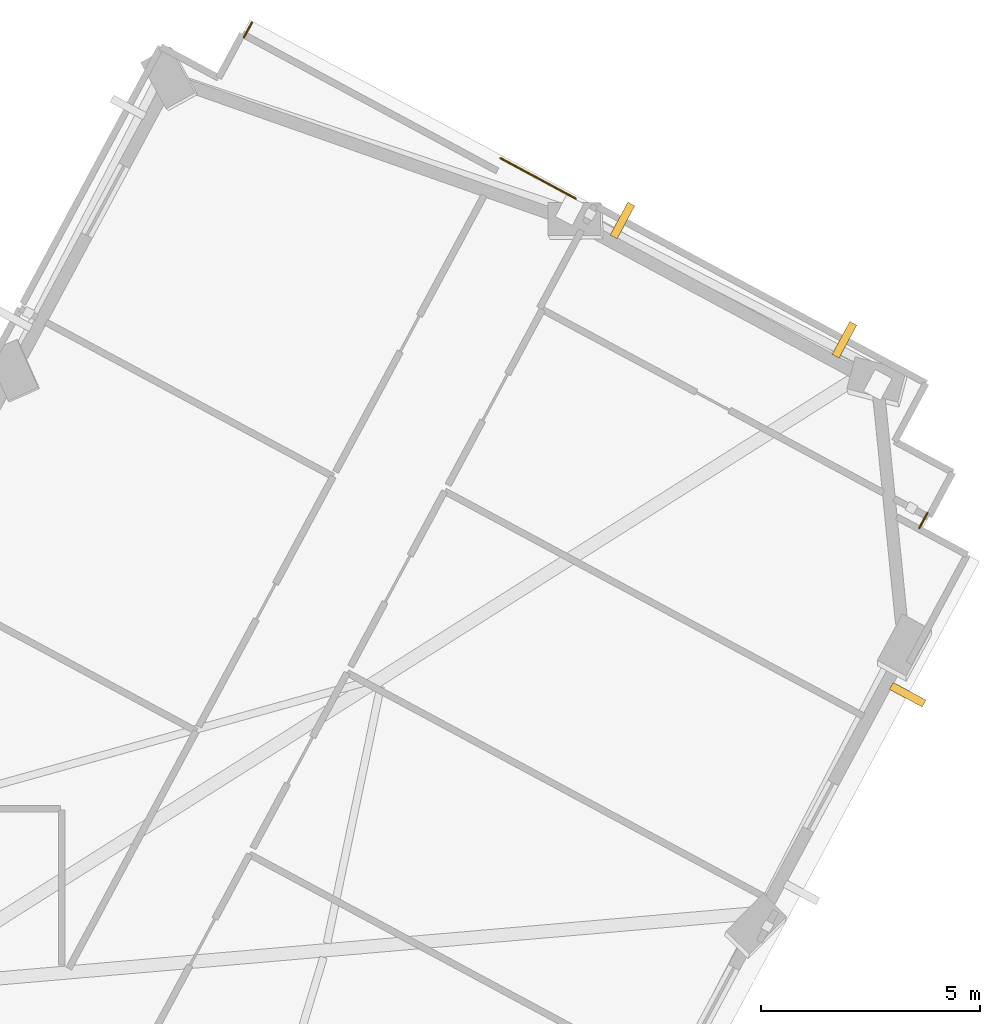
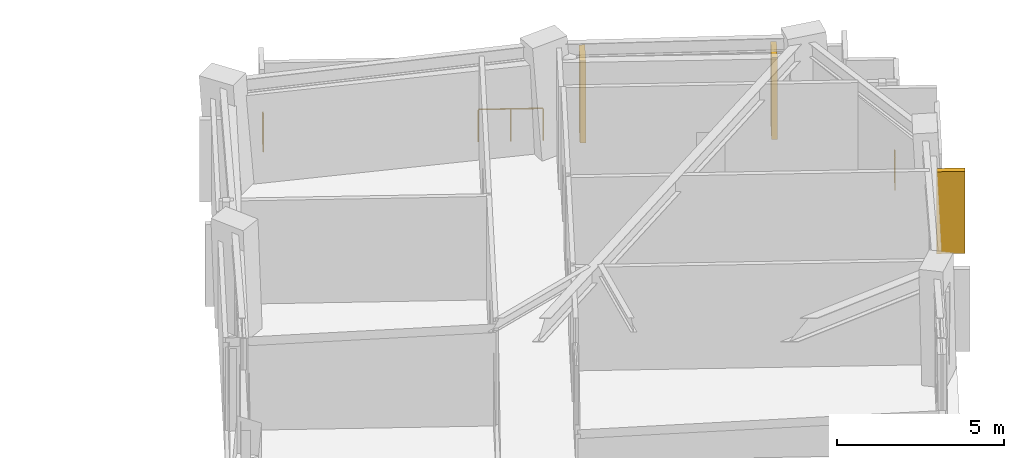
# One storey, part 14 of 14: 3 railings, 3 shading devices.
"""IFC4 building model written with IfcOpenShell, lengths in metres."""

from ifc_helpers import new_model, si_unit, direction, frame, origin, origin_2d, place, context, subcontext, project, spatial, rectangle, circle, extrude, material, layer, layer_set, type_object, element, save


model = new_model("IFC4")

# Units and contexts
model_context = context("Model", 3, precision=1e-05, world=origin(), true_north=direction((0.0, 1.0)))
body_context = subcontext(model_context, "Body", "Model", "MODEL_VIEW")
ifc_project = project(units=[si_unit("LENGTHUNIT", "METRE"), si_unit("AREAUNIT", "SQUARE_METRE"), si_unit("VOLUMEUNIT", "CUBIC_METRE"), si_unit("PLANEANGLEUNIT", "RADIAN"), si_unit("MASSUNIT", "GRAM", prefix="KILO")], contexts=[model_context])

# Site, building, storey
site_placement = place(None, origin())
site = spatial("IfcSite", under=ifc_project, at=site_placement, CompositionType="ELEMENT")
building_placement = place(site_placement, origin())
building = spatial("IfcBuilding", under=site, at=building_placement, Name="Gaonmaruhae Medical Tower", CompositionType="ELEMENT")
storey_placement = place(building_placement, frame((0.0, 0.0, 288.60009765625)))
storey = spatial("IfcBuildingStorey", under=building, at=storey_placement, Name="L69", CompositionType="ELEMENT", Elevation=288.60009765625)

# Railings
ifc_material_1 = material(Name="Stainless steel 316L and laminated safety glass", Category="steel")
ifc_layer = layer(ifc_material_1, 0.080078125)
ifc_layer_set = layer_set([ifc_layer], Name="Stainless steel 316L and laminated safety glass")
railing_type = type_object("IfcRailingType", Name="GD-120 Outdoor Terrace Safety Glass & Steel Balustrade", PredefinedType="BALUSTRADE", material=ifc_layer_set)
railing_1_placement = place(storey_placement, frame((43.633056640625, 38.465576171875, 0.0)))
element("IfcRailing", 1, at=railing_1_placement, inside=storey, type_object=railing_type, Name="L69 Perimeter Slab Edge Safety Balustrade 02", PredefinedType="BALUSTRADE", context=body_context, shape_type="SweptSolid", body=[
    extrude(circle(Radius=0.02392578125, at=origin_2d()), frame((0.0, 0.0, 1.17578125), z_axis=(0.473581555571, 0.880749970322, 0.0), x_axis=(-0.880749970322, 0.473581555571, 0.0)), (0.0, 0.0, 1.0), 0.393310546875),
    extrude(circle(Radius=0.02099609375, at=origin_2d()), origin(), (0.0, 0.0, 1.0), 1.15185546875),
    extrude(circle(Radius=0.02099609375, at=origin_2d()), frame((0.186279296875, 0.346435546875, 0.0)), (0.0, 0.0, 1.0), 1.15185546875),
])
railing_2_placement = place(storey_placement, frame((49.483642578125, 35.711669921875, 0.0)))
element("IfcRailing", 2, at=railing_2_placement, inside=storey, type_object=railing_type, Name="L69 Perimeter Slab Edge Safety Balustrade 03", PredefinedType="BALUSTRADE", context=body_context, shape_type="SweptSolid", body=[
    extrude(circle(Radius=0.02392578125, at=origin_2d()), frame((0.0, 0.0, 1.17578125), z_axis=(0.880889799734, -0.47332141376, 0.0), x_axis=(0.47332141376, 0.880889799734, 0.0)), (0.0, 0.0, 1.0), 1.945556640625),
    extrude(circle(Radius=0.02099609375, at=origin_2d()), origin(), (0.0, 0.0, 1.0), 1.15185546875),
    extrude(circle(Radius=0.02099609375, at=origin_2d()), frame((0.85693359375, -0.46044921875, 0.0)), (0.0, 0.0, 1.0), 1.15185546875),
    extrude(circle(Radius=0.02099609375, at=origin_2d()), frame((1.7138671875, -0.9208984375, 0.0)), (0.0, 0.0, 1.0), 1.15185546875),
])
railing_3_placement = place(storey_placement, frame((59.218017578125, 27.6240234375, 0.0)))
element("IfcRailing", 3, at=railing_3_placement, inside=storey, type_object=railing_type, Name="L69 Perimeter Slab Edge Safety Balustrade 04", PredefinedType="BALUSTRADE", context=body_context, shape_type="SweptSolid", body=[
    extrude(circle(Radius=0.02392578125, at=origin_2d()), frame((0.0, 0.0, 1.17578125), z_axis=(-0.473099866302, -0.881008806145, 0.0), x_axis=(0.881008806145, -0.473099866302, 0.0)), (0.0, 0.0, 1.0), 0.393310546875),
    extrude(circle(Radius=0.02099609375, at=origin_2d()), origin(), (0.0, 0.0, 1.0), 1.15185546875),
    extrude(circle(Radius=0.02099609375, at=origin_2d()), frame((-0.18603515625, -0.346435546875, 0.0)), (0.0, 0.0, 1.0), 1.15185546875),
])

# Shading devices
ifc_material_2 = material(Name="Pigmented coral precast concrete C45/55", Category="concrete")
shading_device_type = type_object("IfcShadingDeviceType", Name="SD-FIN1 Tower Vertical Coral Precast Shading Fin", PredefinedType="USERDEFINED", material=ifc_material_2)
for number, where, z_axis, x_axis, name in (
    (4, (58.767333984375, 23.478759765625, 0.13232421875), (0.0, 0.0, 1.0), (-0.473319667185, -0.880890738205, 0.0), "L69 Vertical Coral Precast Shading Fin S05"),
    (5, (52.263916015625, 34.29150390625, 0.13232421875), (0.0, 0.0, 1.0), (0.880890738205, -0.473319667185, 0.0), "L69 Vertical Coral Precast Shading Fin E01"),
    (6, (57.32568359375, 31.57177734375, 0.13232421875), (0.0, 0.0, 1.0), (0.880890738205, -0.473319667185, 0.0), "L69 Vertical Coral Precast Shading Fin E01B"),
):
    element("IfcShadingDevice", number, at=place(storey_placement, frame(where, z_axis=z_axis, x_axis=x_axis)), inside=storey, type_object=shading_device_type, Name=name, ObjectType="FIN", PredefinedType="USERDEFINED", context=body_context, shape_type="SweptSolid", body=[
        extrude(rectangle(XDim=0.179931640625, YDim=0.85009765625, at=origin_2d()), origin(), (0.0, 0.0, 1.0), 3.0),
    ])

save(model, "model.ifc")
